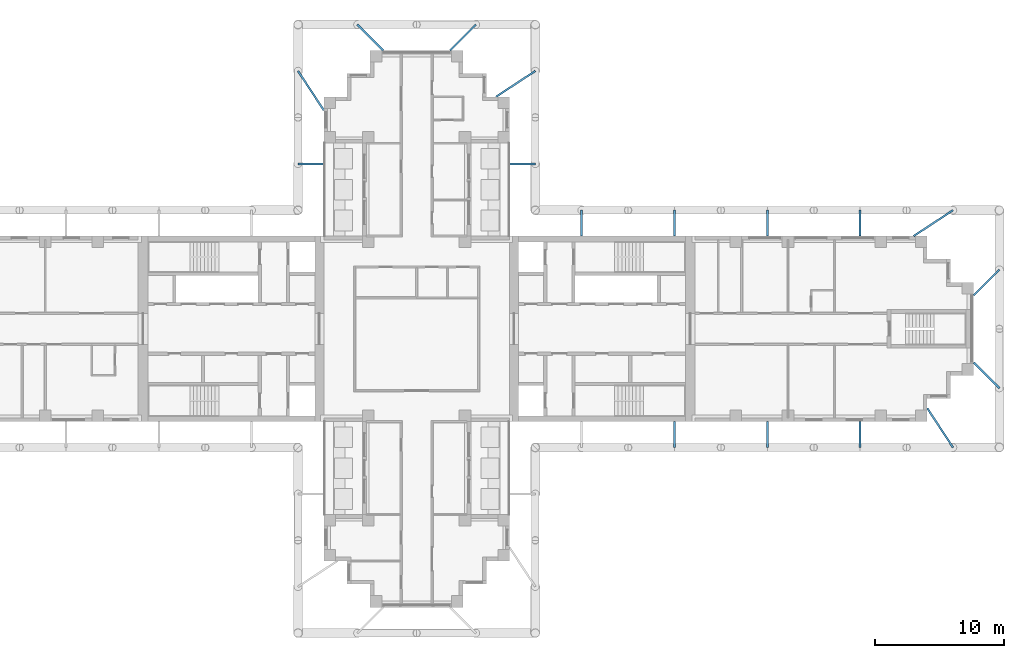
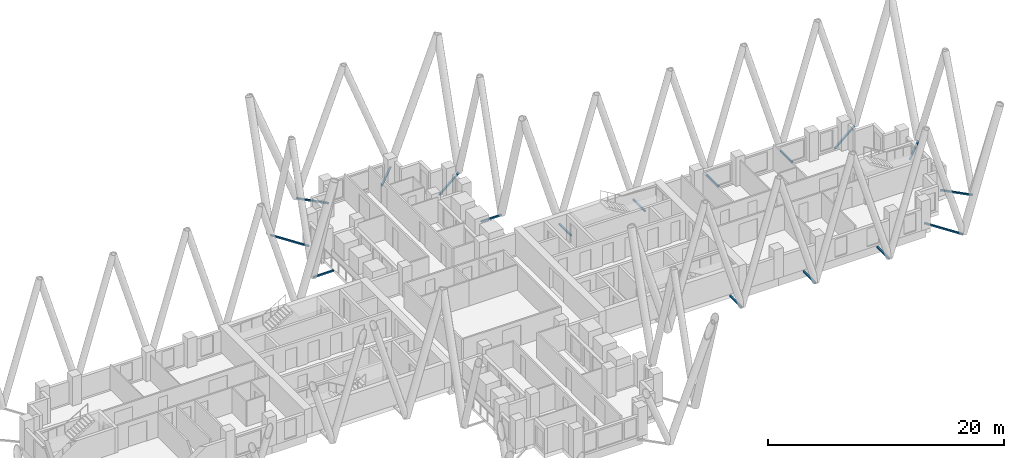
# One storey, part 10 of 12: 17 discrete accessories.
"""IFC4 building model written with IfcOpenShell, lengths in metres."""

from ifc_helpers import new_model, si_unit, direction, frame, origin, origin_2d, place, context, subcontext, project, spatial, hollow_rectangle, extrude, material, element, save


model = new_model("IFC4")

# Units and contexts
model_context = context("Model", 3, precision=1e-05, world=origin(), true_north=direction((0.0, 1.0)))
body_context = subcontext(model_context, "Body", "Model", "MODEL_VIEW")
ifc_project = project(units=[si_unit("LENGTHUNIT", "METRE"), si_unit("AREAUNIT", "SQUARE_METRE"), si_unit("VOLUMEUNIT", "CUBIC_METRE"), si_unit("PLANEANGLEUNIT", "RADIAN"), si_unit("MASSUNIT", "GRAM", prefix="KILO")], contexts=[model_context])

# Site, building, storey
site_placement = place(None, origin())
site = spatial("IfcSite", under=ifc_project, at=site_placement, CompositionType="ELEMENT")
building_placement = place(site_placement, origin())
building = spatial("IfcBuilding", under=site, at=building_placement, Name="Fustian Cross Tower", CompositionType="ELEMENT")
storey_placement = place(building_placement, frame((0.0, 0.0, 141.300048828125)))
storey = spatial("IfcBuildingStorey", under=building, at=storey_placement, Name="L44", CompositionType="ELEMENT", Elevation=141.300048828125)

# Discrete accessories
ifc_material = material(Name="Steel S355", Category="steel")
discrete_accessory_1_placement = place(storey_placement, frame((45.199951171875, 4.60009765625, -0.150146484375), z_axis=(-0.707106781187, -0.707106781187, 0.0), x_axis=(0.707106781187, -0.707106781187, 0.0)))
element("IfcDiscreteAccessory", 1, at=discrete_accessory_1_placement, inside=storey, material=ifc_material, Name="Diagrid node bracket L44-01", PredefinedType="BRACKET", context=body_context, shape_type="SweptSolid", body=[
    extrude(hollow_rectangle(XDim=0.14990234375, YDim=0.14990234375, WallThickness=0.010009765625, at=origin_2d()), origin(), (0.0, 0.0, 1.0), 2.828369140625),
])
discrete_accessory_2_placement = place(storey_placement, frame((41.60009765625, 9.199951171875, -0.150146484375), z_axis=(-0.836248392914, -0.548350823241, 0.0), x_axis=(0.548350823241, -0.836248392914, 0.0)))
element("IfcDiscreteAccessory", 2, at=discrete_accessory_2_placement, inside=storey, material=ifc_material, Name="Diagrid node bracket L44-02", PredefinedType="BRACKET", context=body_context, shape_type="SweptSolid", body=[
    extrude(hollow_rectangle(XDim=0.14990234375, YDim=0.14990234375, WallThickness=0.010009765625, at=origin_2d()), origin(), (0.0, 0.0, 1.0), 3.647216796875),
])
for number, where, z_axis, x_axis, name in (
    (3, (34.39990234375, 9.199951171875, -0.150146484375), (0.0, -1.0, 0.0), (1.0, 0.0, 0.0), "Diagrid node bracket L44-03"),
    (4, (27.199951171875, 9.199951171875, -0.150146484375), (0.0, -1.0, 0.0), (1.0, 0.0, 0.0), "Diagrid node bracket L44-04"),
    (5, (20.0, 9.199951171875, -0.150146484375), (0.0, -1.0, 0.0), (1.0, 0.0, 0.0), "Diagrid node bracket L44-05"),
    (6, (12.800048828125, 9.199951171875, -0.150146484375), (0.0, -1.0, 0.0), (1.0, 0.0, 0.0), "Diagrid node bracket L44-06"),
    (7, (9.199951171875, 12.800048828125, -0.150146484375), (-1.0, 0.0, 0.0), (0.0, -1.0, 0.0), "Diagrid node bracket L44-07"),
):
    element("IfcDiscreteAccessory", number, at=place(storey_placement, frame(where, z_axis=z_axis, x_axis=x_axis)), inside=storey, material=ifc_material, Name=name, PredefinedType="BRACKET", context=body_context, shape_type="SweptSolid", body=[
        extrude(hollow_rectangle(XDim=0.14990234375, YDim=0.14990234375, WallThickness=0.010009765625, at=origin_2d()), origin(), (0.0, 0.0, 1.0), 2.0),
    ])
discrete_accessory_3_placement = place(storey_placement, frame((9.199951171875, 20.0, -0.150146484375), z_axis=(-0.836248392914, -0.548350823241, 0.0), x_axis=(0.548350823241, -0.836248392914, 0.0)))
element("IfcDiscreteAccessory", 8, at=discrete_accessory_3_placement, inside=storey, material=ifc_material, Name="Diagrid node bracket L44-08", PredefinedType="BRACKET", context=body_context, shape_type="SweptSolid", body=[
    extrude(hollow_rectangle(XDim=0.14990234375, YDim=0.14990234375, WallThickness=0.010009765625, at=origin_2d()), origin(), (0.0, 0.0, 1.0), 3.647216796875),
])
for number, where, z_axis, x_axis, name in (
    (9, (4.60009765625, 23.60009765625, -0.150146484375), (-0.707106781187, -0.707106781187, 0.0), (0.707106781187, -0.707106781187, 0.0), "Diagrid node bracket L44-09"),
    (10, (-4.60009765625, 23.60009765625, -0.150146484375), (0.707106781187, -0.707106781187, 0.0), (0.707106781187, 0.707106781187, 0.0), "Diagrid node bracket L44-10"),
):
    element("IfcDiscreteAccessory", number, at=place(storey_placement, frame(where, z_axis=z_axis, x_axis=x_axis)), inside=storey, material=ifc_material, Name=name, PredefinedType="BRACKET", context=body_context, shape_type="SweptSolid", body=[
        extrude(hollow_rectangle(XDim=0.14990234375, YDim=0.14990234375, WallThickness=0.010009765625, at=origin_2d()), origin(), (0.0, 0.0, 1.0), 2.828369140625),
    ])
discrete_accessory_4_placement = place(storey_placement, frame((-9.199951171875, 20.0, -0.150146484375), z_axis=(0.548350823241, -0.836248392914, 0.0), x_axis=(0.836248392914, 0.548350823241, 0.0)))
element("IfcDiscreteAccessory", 11, at=discrete_accessory_4_placement, inside=storey, material=ifc_material, Name="Diagrid node bracket L44-11", PredefinedType="BRACKET", context=body_context, shape_type="SweptSolid", body=[
    extrude(hollow_rectangle(XDim=0.14990234375, YDim=0.14990234375, WallThickness=0.010009765625, at=origin_2d()), origin(), (0.0, 0.0, 1.0), 3.647216796875),
])
for number, where, z_axis, x_axis, name in (
    (12, (-9.199951171875, 12.800048828125, -0.150146484375), (1.0, 0.0, 0.0), (0.0, 1.0, 0.0), "Diagrid node bracket L44-12"),
    (13, (20.0, -9.199951171875, -0.150146484375), (0.0, 1.0, 0.0), (-1.0, 0.0, 0.0), "Diagrid node bracket L44-33"),
    (14, (27.199951171875, -9.199951171875, -0.150146484375), (0.0, 1.0, 0.0), (-1.0, 0.0, 0.0), "Diagrid node bracket L44-34"),
    (15, (34.39990234375, -9.199951171875, -0.150146484375), (0.0, 1.0, 0.0), (-1.0, 0.0, 0.0), "Diagrid node bracket L44-35"),
):
    element("IfcDiscreteAccessory", number, at=place(storey_placement, frame(where, z_axis=z_axis, x_axis=x_axis)), inside=storey, material=ifc_material, Name=name, PredefinedType="BRACKET", context=body_context, shape_type="SweptSolid", body=[
        extrude(hollow_rectangle(XDim=0.14990234375, YDim=0.14990234375, WallThickness=0.010009765625, at=origin_2d()), origin(), (0.0, 0.0, 1.0), 2.0),
    ])
discrete_accessory_5_placement = place(storey_placement, frame((41.60009765625, -9.199951171875, -0.150146484375), z_axis=(-0.548350823241, 0.836248392914, 0.0), x_axis=(-0.836248392914, -0.548350823241, 0.0)))
element("IfcDiscreteAccessory", 16, at=discrete_accessory_5_placement, inside=storey, material=ifc_material, Name="Diagrid node bracket L44-36", PredefinedType="BRACKET", context=body_context, shape_type="SweptSolid", body=[
    extrude(hollow_rectangle(XDim=0.14990234375, YDim=0.14990234375, WallThickness=0.010009765625, at=origin_2d()), origin(), (0.0, 0.0, 1.0), 3.647216796875),
])
discrete_accessory_6_placement = place(storey_placement, frame((45.199951171875, -4.60009765625, -0.150146484375), z_axis=(-0.707106781187, 0.707106781187, 0.0), x_axis=(-0.707106781187, -0.707106781187, 0.0)))
element("IfcDiscreteAccessory", 17, at=discrete_accessory_6_placement, inside=storey, material=ifc_material, Name="Diagrid node bracket L44-37", PredefinedType="BRACKET", context=body_context, shape_type="SweptSolid", body=[
    extrude(hollow_rectangle(XDim=0.14990234375, YDim=0.14990234375, WallThickness=0.010009765625, at=origin_2d()), origin(), (0.0, 0.0, 1.0), 2.828369140625),
])

save(model, "model.ifc")
